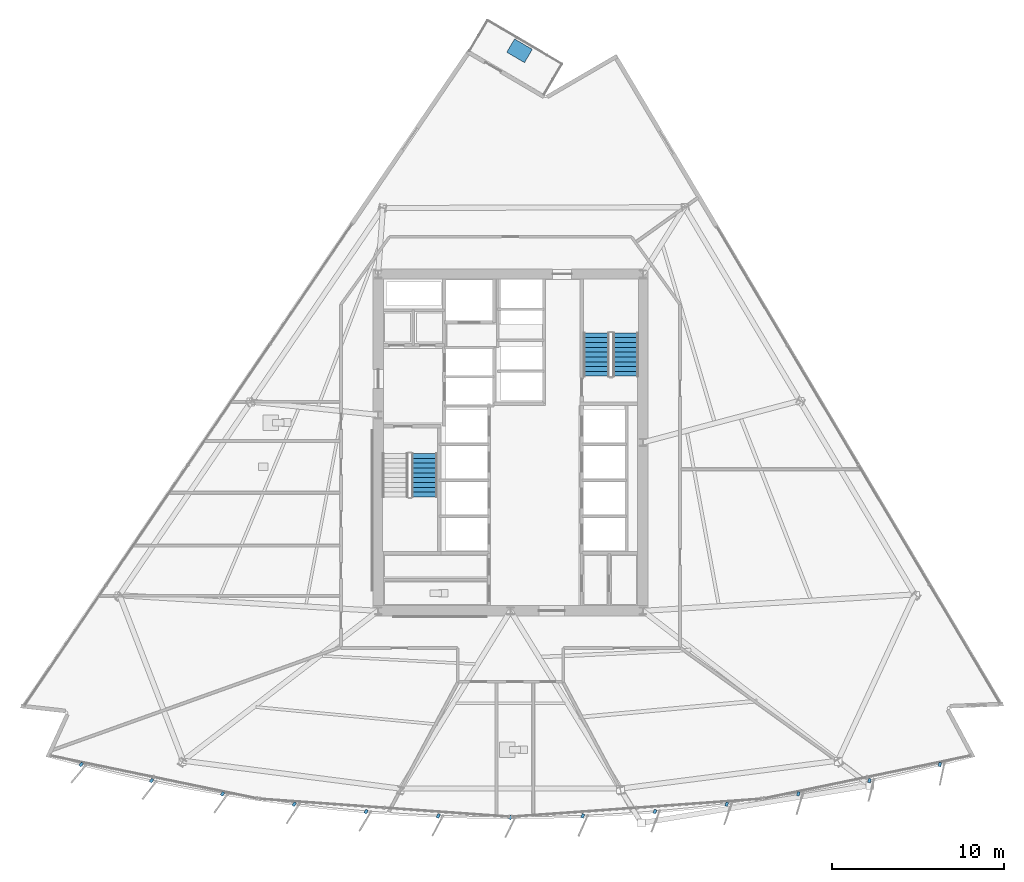
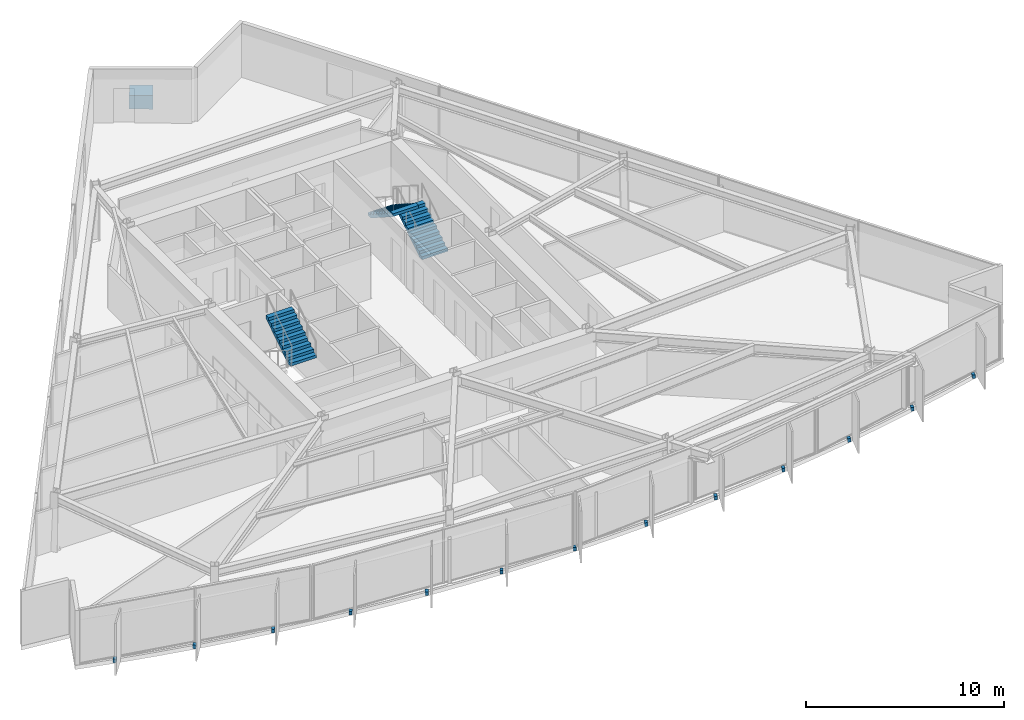
# One storey, part 10 of 15: 14 discrete accessories, 3 stair flights, 2 elements without a shape of their own.
"""IFC4 building model written with IfcOpenShell, lengths in metres."""

from ifc_helpers import new_model, si_unit, direction, frame, origin, origin_2d, place, context, subcontext, project, spatial, polyline, rectangle, outline, extrude, material, type_object, element, aggregate, save


model = new_model("IFC4")

# Units and contexts
model_context = context("Model", 3, precision=1e-05, world=origin(), true_north=direction((0.0, 1.0)))
body_context = subcontext(model_context, "Body", "Model", "MODEL_VIEW")
ifc_project = project(units=[si_unit("LENGTHUNIT", "METRE"), si_unit("AREAUNIT", "SQUARE_METRE"), si_unit("VOLUMEUNIT", "CUBIC_METRE"), si_unit("PLANEANGLEUNIT", "RADIAN"), si_unit("MASSUNIT", "GRAM", prefix="KILO")], contexts=[model_context])

# Site, building, storey
site_placement = place(None, origin())
site = spatial("IfcSite", under=ifc_project, at=site_placement, CompositionType="ELEMENT")
building_placement = place(site_placement, origin())
building = spatial("IfcBuilding", under=site, at=building_placement, Name="Savorim Split Tower", CompositionType="ELEMENT")
storey_placement = place(building_placement, frame((0.0, 0.0, 89.699951171875)))
storey = spatial("IfcBuildingStorey", under=building, at=storey_placement, Name="L23", CompositionType="ELEMENT", Elevation=89.699951171875)

# Stair, stair flight
ifc_material_1 = material(Name="Concrete C50/60", Category="concrete")
stair_type = type_object("IfcStairType", Name="STR-DOG-3600", PredefinedType="HALF_TURN_STAIR", material=ifc_material_1)
stair_1_placement = place(storey_placement, origin())
stair_1 = element("IfcStair", 1, at=stair_1_placement, inside=storey, type_object=stair_type, Name="L23 Core Protected Exit Stair ST-1", PredefinedType="HALF_TURN_STAIR")
stair_flight_type = type_object("IfcStairFlightType", Name="SFL-DOG-3600", PredefinedType="STRAIGHT", material=ifc_material_1)
stair_flight_1_placement = place(storey_placement, frame((-5.0, -2.77001953125, 1.800048828125), z_axis=(0.0, 0.0, 1.0), x_axis=(0.0, 1.0, 0.0)))
stair_flight_1 = element("IfcStairFlight", 2, at=stair_flight_1_placement, type_object=stair_flight_type, Name="ST-1 flight 2", NumberOfRisers=10, NumberOfTreads=9, PredefinedType="STRAIGHT", RiserHeight=0.18, TreadLength=0.28, context=body_context, shape_type="SweptSolid", body=[
    extrude(outline(polyline([(0.0, 0.0), (0.0, 0.179931640625), (0.280029296875, 0.179931640625), (0.280029296875, 0.360107421875), (0.56005859375, 0.360107421875), (0.56005859375, 0.5400390625), (0.840087890625, 0.5400390625), (0.840087890625, 0.719970703125), (1.1201171875, 0.719970703125), (1.1201171875, 0.89990234375), (1.39990234375, 0.89990234375), (1.39990234375, 1.080078125), (1.679931640625, 1.080078125), (1.679931640625, 1.260009765625), (1.9599609375, 1.260009765625), (1.9599609375, 1.43994140625), (2.239990234375, 1.43994140625), (2.239990234375, 1.6201171875), (2.52001953125, 1.6201171875), (2.52001953125, 1.800048828125), (2.52001953125, 1.44189453125), (0.277099609375, 0.0), (0.0, 0.0)])), frame((0.0, 0.75, 0.0), z_axis=(0.0, -1.0, 0.0), x_axis=(1.0, 0.0, 0.0)), (0.0, 0.0, 1.0), 1.5),
])
aggregate(stair_1, [stair_flight_1])

# Stair, stair flights
stair_2_placement = place(storey_placement, origin())
stair_2 = element("IfcStair", 3, at=stair_2_placement, inside=storey, type_object=stair_type, Name="L23 Core Protected Exit Stair ST-2", PredefinedType="HALF_TURN_STAIR")
stair_flight_2_placement = place(storey_placement, frame((6.699951171875, 4.25, 0.0), z_axis=(0.0, 0.0, 1.0), x_axis=(0.0, 1.0, 0.0)))
stair_flight_2 = element("IfcStairFlight", 4, at=stair_flight_2_placement, type_object=stair_flight_type, Name="ST-2 flight 1", NumberOfRisers=10, NumberOfTreads=9, PredefinedType="STRAIGHT", RiserHeight=0.18, TreadLength=0.28, context=body_context, shape_type="SweptSolid", body=[
    extrude(outline(polyline([(0.0, 0.0), (0.0, 0.179931640625), (0.280029296875, 0.179931640625), (0.280029296875, 0.360107421875), (0.56005859375, 0.360107421875), (0.56005859375, 0.5400390625), (0.840087890625, 0.5400390625), (0.840087890625, 0.719970703125), (1.1201171875, 0.719970703125), (1.1201171875, 0.89990234375), (1.39990234375, 0.89990234375), (1.39990234375, 1.080078125), (1.679931640625, 1.080078125), (1.679931640625, 1.260009765625), (1.9599609375, 1.260009765625), (1.9599609375, 1.43994140625), (2.239990234375, 1.43994140625), (2.239990234375, 1.6201171875), (2.52001953125, 1.6201171875), (2.52001953125, 1.800048828125), (2.52001953125, 1.44189453125), (0.277099609375, 0.0), (0.0, 0.0)])), frame((0.0, 0.75, 0.0), z_axis=(0.0, -1.0, 0.0), x_axis=(1.0, 0.0, 0.0)), (0.0, 0.0, 1.0), 1.5),
])
stair_flight_3_placement = place(storey_placement, frame((5.0, 6.77001953125, 1.800048828125), z_axis=(0.0, 0.0, 1.0), x_axis=(0.0, -1.0, 0.0)))
stair_flight_3 = element("IfcStairFlight", 5, at=stair_flight_3_placement, type_object=stair_flight_type, Name="ST-2 flight 2", NumberOfRisers=10, NumberOfTreads=9, PredefinedType="STRAIGHT", RiserHeight=0.18, TreadLength=0.28, context=body_context, shape_type="SweptSolid", body=[
    extrude(outline(polyline([(0.0, 0.0), (0.0, 0.179931640625), (0.280029296875, 0.179931640625), (0.280029296875, 0.360107421875), (0.56005859375, 0.360107421875), (0.56005859375, 0.5400390625), (0.840087890625, 0.5400390625), (0.840087890625, 0.719970703125), (1.1201171875, 0.719970703125), (1.1201171875, 0.89990234375), (1.39990234375, 0.89990234375), (1.39990234375, 1.080078125), (1.679931640625, 1.080078125), (1.679931640625, 1.260009765625), (1.9599609375, 1.260009765625), (1.9599609375, 1.43994140625), (2.239990234375, 1.43994140625), (2.239990234375, 1.6201171875), (2.52001953125, 1.6201171875), (2.52001953125, 1.800048828125), (2.52001953125, 1.44189453125), (0.277099609375, 0.0), (0.0, 0.0)])), frame((0.0, 0.75, 0.0), z_axis=(0.0, -1.0, 0.0), x_axis=(1.0, 0.0, 0.0)), (0.0, 0.0, 1.0), 1.5),
])
aggregate(stair_2, [stair_flight_2, stair_flight_3])

# Discrete accessories
ifc_material_2 = material(Name="Steel S355", Category="steel")
discrete_accessory_type_1 = type_object("IfcDiscreteAccessoryType", Name="ACC-BRK-FIN", PredefinedType="BRACKET", material=ifc_material_2)
for number, where, z_axis, x_axis, name in (
    (6, (-24.9814453125, -18.338134765625, -0.18994140625), (0.0, 0.0, 1.0), (-0.643719022682, -0.765261928909, 0.0), "L23 Fin Slab-Edge Cleat Bracket 01"),
    (7, (-20.882080078125, -19.276611328125, -0.18994140625), (0.0, 0.0, 1.0), (-0.611868076908, -0.790959832394, 0.0), "L23 Fin Slab-Edge Cleat Bracket 02"),
    (8, (-16.747802734375, -20.046875, -0.18994140625), (0.0, 0.0, 1.0), (-0.578993757737, -0.815331974414, 0.0), "L23 Fin Slab-Edge Cleat Bracket 03"),
    (9, (-12.58544921875, -20.647216796875, -0.18994140625), (0.0, 0.0, 1.0), (-0.545148321708, -0.838339613366, 0.0), "L23 Fin Slab-Edge Cleat Bracket 04"),
    (10, (-8.402099609375, -21.07666015625, -0.18994140625), (0.0, 0.0, 1.0), (-0.510391336723, -0.859942255851, 0.0), "L23 Fin Slab-Edge Cleat Bracket 05"),
    (11, (-4.20458984375, -21.334716796875, -0.18994140625), (0.0, 0.0, 1.0), (-0.474778051978, -0.880105562623, 0.0), "L23 Fin Slab-Edge Cleat Bracket 06"),
    (12, (0.0, -21.4208984375, -0.18994140625), (0.0, 0.0, 1.0), (-0.438371146789, -0.898794046299, 0.0), "L23 Fin Slab-Edge Cleat Bracket 07"),
    (13, (4.20458984375, -21.334716796875, -0.18994140625), (0.0, 0.0, 1.0), (-0.401230091723, -0.915977299662, 0.0), "L23 Fin Slab-Edge Cleat Bracket 08"),
    (14, (8.402099609375, -21.07666015625, -0.18994140625), (0.0, 0.0, 1.0), (-0.363415461732, -0.931627179817, 0.0), "L23 Fin Slab-Edge Cleat Bracket 09"),
    (15, (12.58544921875, -20.647216796875, -0.18994140625), (0.0, 0.0, 1.0), (-0.324993810493, -0.945716143005, 0.0), "L23 Fin Slab-Edge Cleat Bracket 10"),
    (16, (16.747802734375, -20.046875, -0.18994140625), (0.0, 0.0, 1.0), (-0.286026212504, -0.958221793616, 0.0), "L23 Fin Slab-Edge Cleat Bracket 11"),
    (17, (20.882080078125, -19.276611328125, -0.18994140625), (0.0, 0.0, 1.0), (-0.246581250663, -0.969122121727, 0.0), "L23 Fin Slab-Edge Cleat Bracket 12"),
    (18, (24.9814453125, -18.338134765625, -0.18994140625), (0.0, 0.0, 1.0), (-0.206721626106, -0.978399800337, 0.0), "L23 Fin Slab-Edge Cleat Bracket 13"),
):
    element("IfcDiscreteAccessory", number, at=place(storey_placement, frame(where, z_axis=z_axis, x_axis=x_axis)), inside=storey, type_object=discrete_accessory_type_1, Name=name, PredefinedType="BRACKET", context=body_context, shape_type="SweptSolid", body=[
        extrude(rectangle(XDim=0.239990234375, YDim=0.159912109375, at=origin_2d()), origin(), (0.0, 0.0, 1.0), 0.219970703125),
    ])
ifc_material_3 = material(Name="Architectural Precast Planter Concrete C40/50", Category="concrete")
discrete_accessory_type_2 = type_object("IfcDiscreteAccessoryType", Name="ACC-PLN-TREE", PredefinedType="USERDEFINED", material=ifc_material_3)
discrete_accessory_placement = place(storey_placement, frame((0.526611328125, 23.18408203125, 0.0), z_axis=(0.0, 0.0, 1.0), x_axis=(-0.862122155817, 0.506700491858, 0.0)))
element("IfcDiscreteAccessory", 19, at=discrete_accessory_placement, inside=storey, type_object=discrete_accessory_type_2, Name="L23 Balcony Precast Tree Planter N", ObjectType="PLANTER", PredefinedType="USERDEFINED", context=body_context, shape_type="SweptSolid", body=[
    extrude(rectangle(XDim=1.199951171875, YDim=0.89990234375, at=origin_2d()), origin(), (0.0, 0.0, 1.0), 0.85009765625),
])

save(model, "model.ifc")
